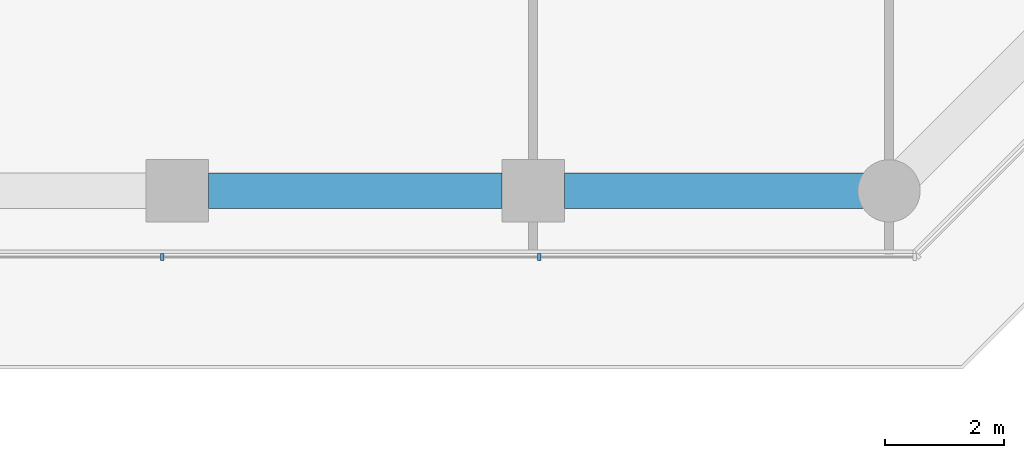
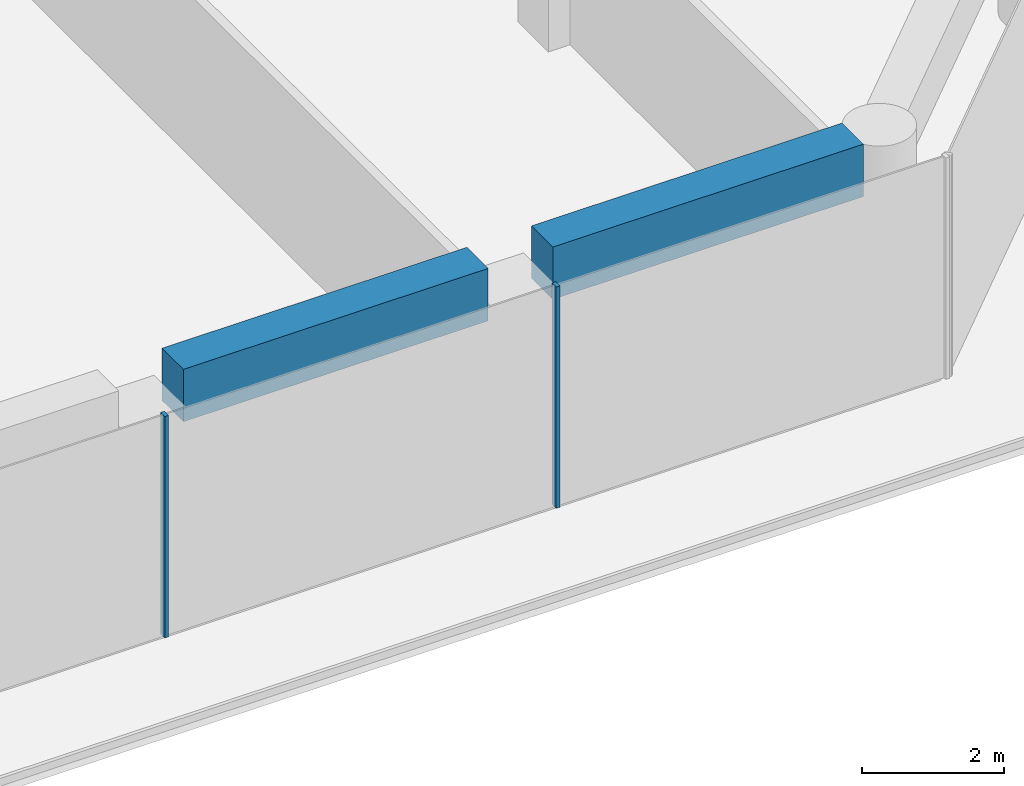
# One storey, part 8 of 30: 2 beams, 2 members, 1 element without a shape of its own.
"""IFC4 building model written with IfcOpenShell, lengths in metres."""

from ifc_helpers import new_model, si_unit, direction, frame, origin, origin_2d, place, context, subcontext, project, spatial, rectangle, extrude, material, layer, layer_set, material_profile, profile_set, type_object, element, aggregate, save


model = new_model("IFC4")

# Units and contexts
model_context = context("Model", 3, precision=1e-05, world=origin(), true_north=direction((0.0, 1.0)))
body_context = subcontext(model_context, "Body", "Model", "MODEL_VIEW")
ifc_project = project(units=[si_unit("LENGTHUNIT", "METRE"), si_unit("AREAUNIT", "SQUARE_METRE"), si_unit("VOLUMEUNIT", "CUBIC_METRE"), si_unit("PLANEANGLEUNIT", "RADIAN"), si_unit("MASSUNIT", "GRAM", prefix="KILO")], contexts=[model_context])

# Site, building, storey
site_placement = place(None, origin())
site = spatial("IfcSite", under=ifc_project, at=site_placement, CompositionType="ELEMENT")
building_placement = place(site_placement, origin())
building = spatial("IfcBuilding", under=site, at=building_placement, Name="Welwitschia Terrace Campus", CompositionType="ELEMENT")
storey_placement = place(building_placement, frame((0.0, 0.0, 75.199951171875)))
storey = spatial("IfcBuildingStorey", under=building, at=storey_placement, Name="L17", CompositionType="ELEMENT", Elevation=75.199951171875)

# Curtain wall, members
ifc_material_1 = material(Name="Bronze anodised aluminium", Category="aluminium")
ifc_layer = layer(ifc_material_1, 0.1201171875)
ifc_layer_set = layer_set([ifc_layer], Name="Bronze anodised aluminium")
curtain_wall_type = type_object("IfcCurtainWallType", Name="Curtain wall CW2 tower 6000", PredefinedType="NOTDEFINED", material=ifc_layer_set)
curtain_wall_placement = place(storey_placement, origin())
curtain_wall = element("IfcCurtainWall", 1, at=curtain_wall_placement, inside=storey, type_object=curtain_wall_type, Name="CW L17.3.0", PredefinedType="NOTDEFINED")
ifc_material_2 = material(Name="Bronze anodised aluminium", Category="aluminium")
ifc_material_profile_1 = material_profile(ifc_material_2, rectangle(XDim=0.1201171875, YDim=0.06005859375, at=origin_2d()))
ifc_profile_set_1 = profile_set([ifc_material_profile_1], Name="Bronze anodised aluminium")
member_type = type_object("IfcMemberType", Name="Mullion 60x120", PredefinedType="MULLION", material=ifc_profile_set_1)
member_1_placement = place(storey_placement, frame((47.7490234375, -5.114013671875, 0.0), z_axis=(0.0, 0.0, 1.0), x_axis=(0.0, 1.0, 0.0)))
member_1 = element("IfcMember", 2, at=member_1_placement, type_object=member_type, Name="Mullion L17.3.0.3", PredefinedType="MULLION", context=body_context, shape_type="SweptSolid", body=[
    extrude(rectangle(XDim=0.1201171875, YDim=0.06005859375, at=origin_2d()), origin(), (0.0, 0.0, 1.0), 3.800048828125),
])
member_2_placement = place(storey_placement, frame((54.105224609375, -5.114013671875, 0.0), z_axis=(0.0, 0.0, 1.0), x_axis=(0.0, 1.0, 0.0)))
member_2 = element("IfcMember", 3, at=member_2_placement, type_object=member_type, Name="Mullion L17.3.0.4", PredefinedType="MULLION", context=body_context, shape_type="SweptSolid", body=[
    extrude(rectangle(XDim=0.1201171875, YDim=0.06005859375, at=origin_2d()), origin(), (0.0, 0.0, 1.0), 3.800048828125),
])
aggregate(curtain_wall, [member_1, member_2])

# Beams
ifc_material_3 = material(Name="Concrete C60/75", Category="concrete")
ifc_material_profile_2 = material_profile(ifc_material_3, rectangle(XDim=0.60009765625, YDim=0.89990234375, at=origin_2d()))
ifc_profile_set_2 = profile_set([ifc_material_profile_2], Name="Concrete C60/75")
beam_type = type_object("IfcBeamType", Name="Ring spandrel 600x900", PredefinedType="SPANDREL", material=ifc_profile_set_2)
beam_1_placement = place(storey_placement, frame((48.525390625, -4.0, 3.35009765625), z_axis=(1.0, 0.0, 0.0), x_axis=(0.0, 1.0, 0.0)))
element("IfcBeam", 4, at=beam_1_placement, inside=storey, type_object=beam_type, Name="Spandrel SP2", PredefinedType="SPANDREL", context=body_context, shape_type="SweptSolid", body=[
    extrude(rectangle(XDim=0.60009765625, YDim=0.89990234375, at=origin_2d()), origin(), (0.0, 0.0, 1.0), 4.94921875),
])
beam_2_placement = place(storey_placement, frame((54.525390625, -4.0, 3.35009765625), z_axis=(1.0, 0.0, 0.0), x_axis=(0.0, 1.0, 0.0)))
element("IfcBeam", 5, at=beam_2_placement, inside=storey, type_object=beam_type, Name="Spandrel SP2", PredefinedType="SPANDREL", context=body_context, shape_type="SweptSolid", body=[
    extrude(rectangle(XDim=0.60009765625, YDim=0.89990234375, at=origin_2d()), origin(), (0.0, 0.0, 1.0), 5.043212890625),
])

save(model, "model.ifc")
